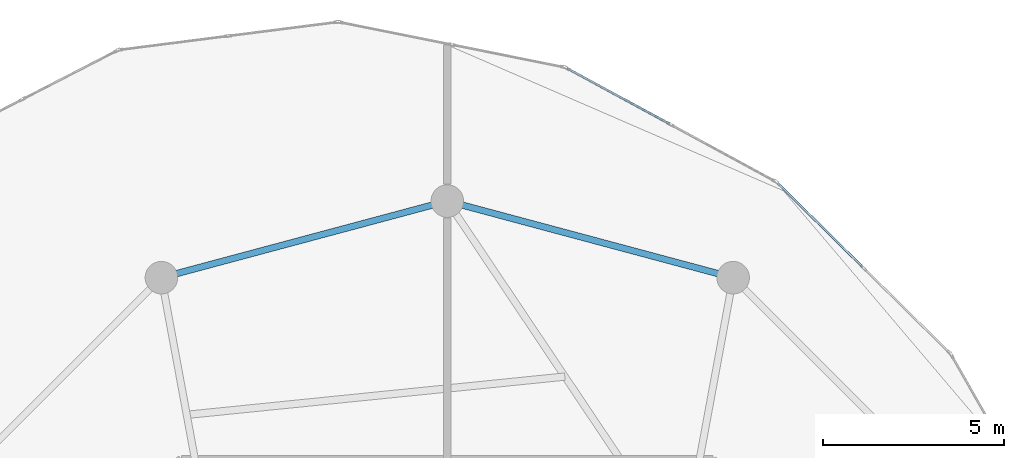
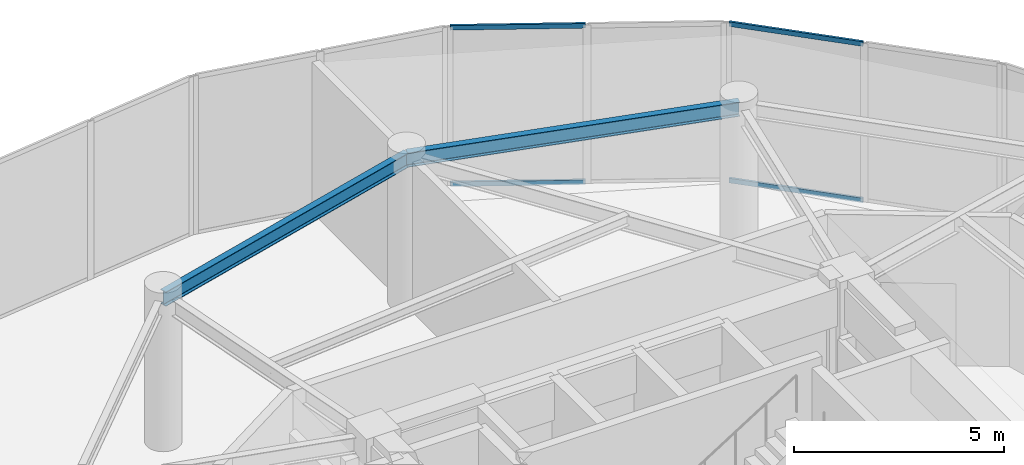
# One storey, part 15 of 23: 4 members, 2 beams, 2 elements without a shape of their own.
"""IFC4 building model written with IfcOpenShell, lengths in metres."""

import ifcopenshell
import ifcopenshell.guid

model = None  # the IFC model being written
_history = None  # IfcOwnerHistory: only IFC2X3 demands one
_inside = {}  # id of a spatial element -> (the spatial element, [elements in it])
_under = {}  # id of a project, library or spatial element -> (it, [spatial elements below it])
_declared = {}  # id of a project -> (the project, [libraries it declares])
_typed = {}  # id of a type object -> (the type object, [elements of that type])
_made_of = {}  # id of a material, layer set ... -> (it, [elements and type objects made of it])


def new_model(schema):
    """Start an empty IFC model of exactly this schema.

    Asked for "IFC4X3", IfcOpenShell would pick the latest addendum, in which some entities
    have other attributes; the version numbers below select the first issue.
    IFC2X3 requires an IfcOwnerHistory on every rooted entity: one is made here for all.
    """
    global model, _history
    if schema == "IFC4X3":
        model = ifcopenshell.file(schema_version=(4, 3, 0, 0))
    else:
        model = ifcopenshell.file(schema=schema)
    _inside.clear()
    _under.clear()
    _declared.clear()
    _typed.clear()
    _made_of.clear()
    _history = None
    if model.schema == "IFC2X3":
        org = make("IfcOrganization", Name="unknown")
        user = make(
            "IfcPersonAndOrganization",
            ThePerson=make("IfcPerson", FamilyName="unknown"),
            TheOrganization=org,
        )
        app = make(
            "IfcApplication",
            ApplicationDeveloper=org,
            Version="unknown",
            ApplicationFullName="unknown",
            ApplicationIdentifier="unknown",
        )
        _history = make(
            "IfcOwnerHistory",
            OwningUser=user,
            OwningApplication=app,
            ChangeAction="ADDED",
            CreationDate=0,
        )
    return model


def make(cls, **values):
    """One entity of the class cls with the attributes given. An attribute that is None is left unset."""
    return model.create_entity(
        cls, **{name: value for name, value in values.items() if value is not None}
    )


def rooted(cls, **values):
    """An entity with a GlobalId (a new one), such as an element, a storey or a relation."""
    return make(cls, GlobalId=ifcopenshell.guid.new(), OwnerHistory=_history, **values)


def si_unit(unit_type, name, prefix=None):
    """IfcSIUnit, for example si_unit("LENGTHUNIT", "METRE", prefix="MILLI")."""
    return make("IfcSIUnit", UnitType=unit_type, Prefix=prefix, Name=name)


def assignment(units):
    """IfcUnitAssignment: the units of a project."""
    return None if units is None else make("IfcUnitAssignment", Units=units)


def point(xyz):
    """IfcCartesianPoint."""
    return None if xyz is None else make("IfcCartesianPoint", Coordinates=xyz)


def direction(xyz):
    """IfcDirection."""
    return None if xyz is None else make("IfcDirection", DirectionRatios=xyz)


def frame(location, z_axis=None, x_axis=None):
    """IfcAxis2Placement3D, a coordinate frame: its origin and axes. An axis left out is left unset."""
    return make(
        "IfcAxis2Placement3D",
        Location=point(location),
        Axis=direction(z_axis),
        RefDirection=direction(x_axis),
    )


def frame_2d(location, x_axis=None):
    """IfcAxis2Placement2D, a coordinate frame in the plane: its origin and x axis."""
    return make(
        "IfcAxis2Placement2D", Location=point(location), RefDirection=direction(x_axis)
    )


def origin():
    """The frame at (0, 0, 0) with its axes left unset."""
    return frame((0.0, 0.0, 0.0))


def origin_2d():
    """The frame at (0, 0) in the plane with its x axis left unset."""
    return frame_2d((0.0, 0.0))


def place(relative_to, where):
    """IfcLocalPlacement: puts the frame where relative to a parent placement (None: the world)."""
    return make(
        "IfcLocalPlacement", PlacementRelTo=relative_to, RelativePlacement=where
    )


def context(
    kind, dimensions, precision=None, world=None, true_north=None, identifier=None
):
    """IfcGeometricRepresentationContext, for example the 3D "Model" context."""
    return make(
        "IfcGeometricRepresentationContext",
        ContextIdentifier=identifier,
        ContextType=kind,
        CoordinateSpaceDimension=dimensions,
        Precision=precision,
        WorldCoordinateSystem=world,
        TrueNorth=true_north,
    )


def subcontext(parent, identifier, kind, view, scale=None):
    """IfcGeometricRepresentationSubContext, for example "Body" below "Model"."""
    return make(
        "IfcGeometricRepresentationSubContext",
        ContextIdentifier=identifier,
        ContextType=kind,
        ParentContext=parent,
        TargetScale=scale,
        TargetView=view,
    )


def project(units=None, contexts=None):
    """IfcProject with its units and contexts."""
    return rooted(
        "IfcProject",
        Name="project",
        RepresentationContexts=contexts,
        UnitsInContext=assignment(units),
    )


def spatial(cls, under=None, at=None, **own):
    """A site, building, storey or space (cls), placed at a placement, below another one or the project."""
    s = rooted(cls, ObjectPlacement=at, **own)
    if under is not None:
        _under.setdefault(under.id(), (under, []))[1].append(s)
    return s


def profile(cls, at=None, kind="AREA", **sizes):
    """A parametric profile (cls). Its sizes go by their IFC names, for example OverallWidth=200.0."""
    return make(cls, ProfileType=kind, Position=at, **sizes)


def hollow_rectangle(**sizes):
    """IfcRectangleHollowProfileDef."""
    return profile("IfcRectangleHollowProfileDef", **sizes)


def i_section(**sizes):
    """IfcIShapeProfileDef."""
    return profile("IfcIShapeProfileDef", **sizes)


def extrude(swept, where, along, depth):
    """IfcExtrudedAreaSolid: the profile swept, set in the frame where, extruded along a direction by depth."""
    return make(
        "IfcExtrudedAreaSolid",
        SweptArea=swept,
        Position=where,
        ExtrudedDirection=direction(along),
        Depth=depth,
    )


def shape(context_of_items, identifier, shape_type, items):
    """IfcShapeRepresentation: the items that make up one representation, for example the "Body"."""
    return make(
        "IfcShapeRepresentation",
        ContextOfItems=context_of_items,
        RepresentationIdentifier=identifier,
        RepresentationType=shape_type,
        Items=items,
    )


def source(mapping_origin, context_of_items, identifier, shape_type, items):
    """IfcRepresentationMap: a shape defined once, which mapped items show again and again."""
    return make(
        "IfcRepresentationMap",
        MappingOrigin=mapping_origin,
        MappedRepresentation=shape(context_of_items, identifier, shape_type, items),
    )


def transform(
    local_origin,
    x_axis=None,
    y_axis=None,
    z_axis=None,
    scale=None,
    scale2=None,
    scale3=None,
    uniform=True,
):
    """IfcCartesianTransformationOperator3D, or its non-uniform kind. x_axis, y_axis, z_axis: its Axis1, 2, 3."""
    if uniform:
        return make(
            "IfcCartesianTransformationOperator3D",
            Axis1=direction(x_axis),
            Axis2=direction(y_axis),
            LocalOrigin=point(local_origin),
            Scale=scale,
            Axis3=direction(z_axis),
        )
    return make(
        "IfcCartesianTransformationOperator3DnonUniform",
        Axis1=direction(x_axis),
        Axis2=direction(y_axis),
        LocalOrigin=point(local_origin),
        Scale=scale,
        Axis3=direction(z_axis),
        Scale2=scale2,
        Scale3=scale3,
    )


def mapped(mapping_source, mapping_target):
    """IfcMappedItem: shows the shape of a source again, moved by a transform."""
    return make(
        "IfcMappedItem", MappingSource=mapping_source, MappingTarget=mapping_target
    )


def material(Name=None, Category=None):
    """IfcMaterial."""
    return make("IfcMaterial", Name=Name, Category=Category)


def layer(
    of_material, thickness, ventilated=None, Name=None, Category=None, Priority=None
):
    """IfcMaterialLayer: one layer of a wall or slab, of a material (None: an air gap)."""
    return make(
        "IfcMaterialLayer",
        Material=of_material,
        LayerThickness=thickness,
        IsVentilated=ventilated,
        Name=Name,
        Category=Category,
        Priority=Priority,
    )


def layer_set(layers, Name=None):
    """IfcMaterialLayerSet."""
    return make("IfcMaterialLayerSet", MaterialLayers=layers, LayerSetName=Name)


def material_profile(
    of_material, cross_section, Name=None, Category=None, Priority=None
):
    """IfcMaterialProfile: a cross section and its material."""
    return make(
        "IfcMaterialProfile",
        Name=Name,
        Material=of_material,
        Profile=cross_section,
        Priority=Priority,
        Category=Category,
    )


def profile_set(profiles, Name=None, composite=None):
    """IfcMaterialProfileSet."""
    return make(
        "IfcMaterialProfileSet",
        Name=Name,
        MaterialProfiles=profiles,
        CompositeProfile=composite,
    )


def made_of(thing, what):
    """Note that an element or type object is made of a material, layer set ...; save() writes the relation."""
    if what is not None:
        _made_of.setdefault(what.id(), (what, []))[1].append(thing)
    return thing


def type_object(cls, material=None, **own):
    """A type object (cls), such as IfcWallType, which elements share."""
    return made_of(rooted(cls, **own), material)


def element(
    cls,
    number,
    at=None,
    inside=None,
    cuts=None,
    type_object=None,
    material=None,
    context=None,
    identifier="Body",
    shape_type=None,
    held_by="IfcProductDefinitionShape",
    body=None,
    shapes=None,
    **own,
):
    """One element of the class cls, such as IfcWall. Its Tag is "e" and its number.

    at: its placement. inside: the storey or other place that contains it. cuts: it is an
    opening in that element (IfcRelVoidsElement). A single representation is given by context,
    identifier, shape_type and body (its items); several are given by shapes. held_by: the class
    of the entity that holds the representations. save() writes the other relations.
    """
    e = rooted(cls, Tag="e%d" % number, ObjectPlacement=at, **own)
    if body is not None:
        shapes = [shape(context, identifier, shape_type, body)]
    if shapes is not None:
        e.Representation = make(held_by, Representations=shapes)
    if inside is not None:
        _inside.setdefault(inside.id(), (inside, []))[1].append(e)
    if cuts is not None:
        rooted(
            "IfcRelVoidsElement", RelatingBuildingElement=cuts, RelatedOpeningElement=e
        )
    if type_object is not None:
        _typed.setdefault(type_object.id(), (type_object, []))[1].append(e)
    return made_of(e, material)


def aggregate(whole, parts):
    """IfcRelAggregates: a whole, such as a stair, and the parts it consists of."""
    return rooted("IfcRelAggregates", RelatingObject=whole, RelatedObjects=parts)


def save(model, path):
    """Write the relations noted so far, then the file.

    IfcRelAggregates (storeys below a building ...), IfcRelContainedInSpatialStructure (elements
    in a storey), IfcRelDefinesByType, IfcRelAssociatesMaterial and IfcRelDeclares: one each for
    every whole, place, type object, material and project.
    """
    for whole, parts in _under.values():
        aggregate(whole, parts)
    for where, things in _inside.values():
        rooted(
            "IfcRelContainedInSpatialStructure",
            RelatedElements=things,
            RelatingStructure=where,
        )
    for kind, things in _typed.values():
        rooted("IfcRelDefinesByType", RelatedObjects=things, RelatingType=kind)
    for what, things in _made_of.values():
        rooted("IfcRelAssociatesMaterial", RelatedObjects=things, RelatingMaterial=what)
    for by, libraries in _declared.values():
        rooted("IfcRelDeclares", RelatingContext=by, RelatedDefinitions=libraries)
    model.write(path)


model = new_model("IFC4")

# Units and contexts
model_context = context("Model", 3, precision=1e-05, world=origin(), true_north=direction((0.0, 1.0)))
body_context = subcontext(model_context, "Body", "Model", "MODEL_VIEW")
ifc_project = project(units=[si_unit("LENGTHUNIT", "METRE"), si_unit("AREAUNIT", "SQUARE_METRE"), si_unit("VOLUMEUNIT", "CUBIC_METRE"), si_unit("PLANEANGLEUNIT", "RADIAN"), si_unit("MASSUNIT", "GRAM", prefix="KILO")], contexts=[model_context])

# Site, building, storey
site_placement = place(None, origin())
site = spatial("IfcSite", under=ifc_project, at=site_placement, CompositionType="ELEMENT")
building_placement = place(site_placement, origin())
building = spatial("IfcBuilding", under=site, at=building_placement, Name="Solvirekh Grand Hotel", CompositionType="ELEMENT")
storey_placement = place(building_placement, frame((0.0, 0.0, 168.60009765625)))
storey = spatial("IfcBuildingStorey", under=building, at=storey_placement, Name="L43", CompositionType="ELEMENT", Elevation=168.60009765625)

# Beams
ifc_material_1 = material(Name="Steel S355", Category="steel")
ifc_material_profile_1 = material_profile(ifc_material_1, i_section(OverallWidth=0.180908203125, OverallDepth=0.4169921875, WebThickness=0.010009765625, FlangeThickness=0.01611328125, FilletRadius=0.011962890625, at=origin_2d()), Name="W410X85")
ifc_profile_set_1 = profile_set([ifc_material_profile_1], Name="Steel S355")
beam_type = type_object("IfcBeamType", Name="Spandrel_Ring_W410", PredefinedType="SPANDREL", material=ifc_profile_set_1)
for number, where, z_axis, x_axis, name in (
    (1, (7.89990234375, 13.68310546875, 4.15185546875), (-0.965920601923, 0.258838541915, 0.0), (-0.258838541915, -0.965920601923, 0.0), "L43 perimeter spandrel beam 3"),
    (2, (0.0, 15.800048828125, 4.15185546875), (-0.965920601923, -0.258838541915, 0.0), (0.258838541915, -0.965920601923, 0.0), "L43 perimeter spandrel beam 4"),
):
    element("IfcBeam", number, at=place(storey_placement, frame(where, z_axis=z_axis, x_axis=x_axis)), inside=storey, type_object=beam_type, Name=name, PredefinedType="SPANDREL", context=body_context, shape_type="SweptSolid", body=[
        extrude(i_section(OverallWidth=0.180908203125, OverallDepth=0.4169921875, WebThickness=0.010009765625, FlangeThickness=0.01611328125, FilletRadius=0.011962890625, at=origin_2d()), origin(), (0.0, 0.0, 1.0), 8.1787109375),
    ])

# Curtain wall, members
ifc_material_2 = material(Name="Anodized Bronze Aluminium 6063-T6", Category="aluminium")
ifc_layer = layer(ifc_material_2, 0.18994140625)
ifc_layer_set = layer_set([ifc_layer], Name="Anodized Bronze Aluminium 6063-T6")
curtain_wall_type = type_object("IfcCurtainWallType", Name="CW_Sys5_SkyLobbyPanoramaCW", PredefinedType="NOTDEFINED", material=ifc_layer_set)
curtain_wall_1_placement = place(storey_placement, origin())
curtain_wall_1 = element("IfcCurtainWall", 3, at=curtain_wall_1_placement, inside=storey, type_object=curtain_wall_type, Name="L43 unitised bronze-glass curtain wall CW-L43-C06", PredefinedType="NOTDEFINED")
ifc_material_profile_2 = material_profile(ifc_material_2, hollow_rectangle(XDim=0.06005859375, YDim=0.135009765625, WallThickness=0.00390625, at=origin_2d()), Name="ALU RHS 135X60X4")
ifc_profile_set_2 = profile_set([ifc_material_profile_2], Name="Anodized Bronze Aluminium 6063-T6")
member_type = type_object("IfcMemberType", Name="CWTransom_Sys5", PredefinedType="USERDEFINED", material=ifc_profile_set_2)
shared_shape_1 = source(origin(), body_context, "Body", "SweptSolid", [
    extrude(hollow_rectangle(XDim=0.06005859375, YDim=0.135009765625, WallThickness=0.00390625, at=origin_2d()), origin(), (0.0, 0.0, 1.0), 3.287353515625),
])
member_1_placement = place(storey_placement, frame((11.4794921875, 13.978515625, 0.02978515625), z_axis=(-0.711991370637, 0.702188214183, 0.0), x_axis=(-0.702188214183, -0.711991370637, 0.0)))
member_1 = element("IfcMember", 4, at=member_1_placement, type_object=member_type, Name="U05 transom 2.1", ObjectType="TRANSOM", PredefinedType="USERDEFINED", context=body_context, shape_type="MappedRepresentation", body=[
    mapped(shared_shape_1, transform((0.0, 0.0, 0.0), x_axis=(1.0, 0.0, 0.0), y_axis=(0.0, 1.0, 0.0), z_axis=(0.0, 0.0, 1.0), scale=1.0)),
])
member_2_placement = place(storey_placement, frame((11.4794921875, 13.978515625, 4.56982421875), z_axis=(-0.711991370637, 0.702188214183, 0.0), x_axis=(-0.702188214183, -0.711991370637, 0.0)))
member_2 = element("IfcMember", 5, at=member_2_placement, type_object=member_type, Name="U05 transom 2.2", ObjectType="TRANSOM", PredefinedType="USERDEFINED", context=body_context, shape_type="MappedRepresentation", body=[
    mapped(shared_shape_1, transform((0.0, 0.0, 0.0), x_axis=(1.0, 0.0, 0.0), y_axis=(0.0, 1.0, 0.0), z_axis=(0.0, 0.0, 1.0), scale=1.0)),
])
aggregate(curtain_wall_1, [member_1, member_2])

curtain_wall_2_placement = place(storey_placement, origin())
curtain_wall_2 = element("IfcCurtainWall", 6, at=curtain_wall_2_placement, inside=storey, type_object=curtain_wall_type, Name="L43 unitised bronze-glass curtain wall CW-L43-C07", PredefinedType="NOTDEFINED")
shared_shape_2 = source(origin(), body_context, "Body", "SweptSolid", [
    extrude(hollow_rectangle(XDim=0.06005859375, YDim=0.135009765625, WallThickness=0.00390625, at=origin_2d()), origin(), (0.0, 0.0, 1.0), 3.213623046875),
])
member_3_placement = place(storey_placement, frame((6.141357421875, 17.935302734375, 0.02978515625), z_axis=(-0.879008109869, 0.476806819147, 0.0), x_axis=(-0.476806819147, -0.879008109869, 0.0)))
member_3 = element("IfcMember", 7, at=member_3_placement, type_object=member_type, Name="U05 transom 2.1", ObjectType="TRANSOM", PredefinedType="USERDEFINED", context=body_context, shape_type="MappedRepresentation", body=[
    mapped(shared_shape_2, transform((0.0, 0.0, 0.0), x_axis=(1.0, 0.0, 0.0), y_axis=(0.0, 1.0, 0.0), z_axis=(0.0, 0.0, 1.0), scale=1.0)),
])
member_4_placement = place(storey_placement, frame((6.141357421875, 17.935302734375, 4.56982421875), z_axis=(-0.879008109869, 0.476806819147, 0.0), x_axis=(-0.476806819147, -0.879008109869, 0.0)))
member_4 = element("IfcMember", 8, at=member_4_placement, type_object=member_type, Name="U05 transom 2.2", ObjectType="TRANSOM", PredefinedType="USERDEFINED", context=body_context, shape_type="MappedRepresentation", body=[
    mapped(shared_shape_2, transform((0.0, 0.0, 0.0), x_axis=(1.0, 0.0, 0.0), y_axis=(0.0, 1.0, 0.0), z_axis=(0.0, 0.0, 1.0), scale=1.0)),
])
aggregate(curtain_wall_2, [member_3, member_4])

save(model, "model.ifc")
